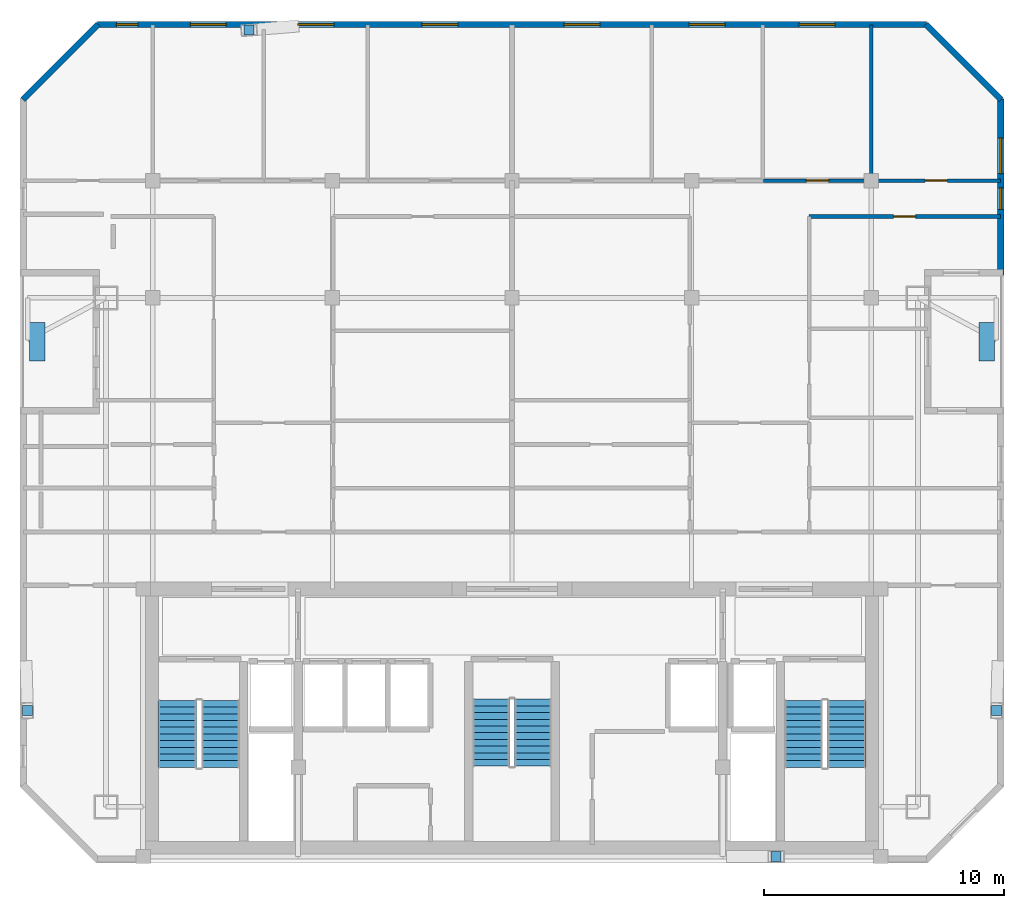
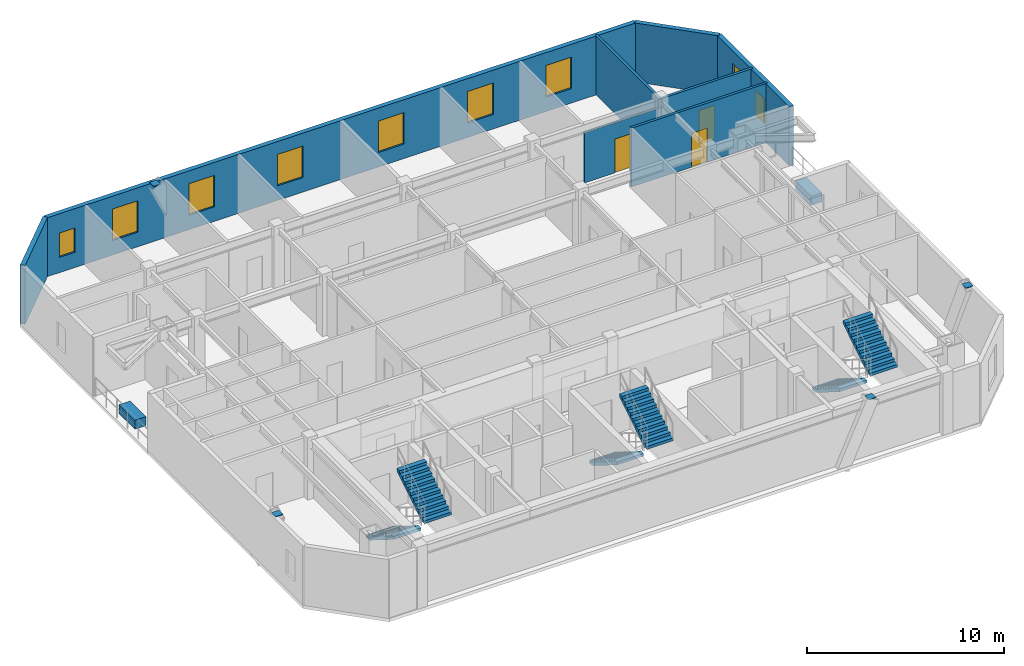
# One storey, part 6 of 7: 9 windows, 8 walls, 6 discrete accessories, 6 stair flights, 3 doors, 12 openings, 3 elements without a shape of their own.
"""IFC4 building model written with IfcOpenShell, lengths in metres."""

from ifc_helpers import new_model, si_unit, direction, frame, frame_2d, origin, origin_2d, place, context, subcontext, project, spatial, polyline, rectangle, outline, extrude, material, layer, layer_set, type_object, element, fill, aggregate, save


model = new_model("IFC4")

# Units and contexts
model_context = context("Model", 3, precision=1e-05, world=origin(), true_north=direction((0.0, 1.0)))
body_context = subcontext(model_context, "Body", "Model", "MODEL_VIEW")
ifc_project = project(units=[si_unit("LENGTHUNIT", "METRE"), si_unit("AREAUNIT", "SQUARE_METRE"), si_unit("VOLUMEUNIT", "CUBIC_METRE"), si_unit("PLANEANGLEUNIT", "RADIAN"), si_unit("MASSUNIT", "GRAM", prefix="KILO")], contexts=[model_context])

# Site, building, storey
site_placement = place(None, origin())
site = spatial("IfcSite", under=ifc_project, at=site_placement, CompositionType="ELEMENT")
building_placement = place(site_placement, origin())
building = spatial("IfcBuilding", under=site, at=building_placement, Name="Ventersveld Concourse Tower", CompositionType="ELEMENT")
storey_placement = place(building_placement, frame((0.0, 0.0, 272.14990234375)))
storey = spatial("IfcBuildingStorey", under=building, at=storey_placement, Name="L67", CompositionType="ELEMENT", Elevation=272.14990234375)

# Wall, opening, door
ifc_material_1 = material(Name="Autoclaved aerated masonry blockwork", Category="masonry")
ifc_layer_1 = layer(ifc_material_1, 0.14990234375)
ifc_layer_set_1 = layer_set([ifc_layer_1], Name="Autoclaved aerated masonry blockwork")
wall_type_1 = type_object("IfcWallType", Name="WL-INT-150", PredefinedType="PARTITIONING", material=ifc_layer_set_1)
wall_1_placement = place(storey_placement, frame((41.150390625, 27.0, 0.0), z_axis=(0.0, 0.0, 1.0), x_axis=(1.0, 0.0, 0.0)))
wall_1 = element("IfcWall", 1, at=wall_1_placement, inside=storey, type_object=wall_type_1, Name="L67 Interior Partition SP-L67-67N2-LIV-SP-L67-67N2-DENS2", PredefinedType="PARTITIONING", context=body_context, shape_type="SweptSolid", body=[
    extrude(rectangle(XDim=7.9892578125, YDim=0.14990234375, at=frame_2d((3.99462890625, 0.0))), origin(), (0.0, 0.0, 1.0), 3.650146484375),
])
opening_1_placement = place(wall_1_placement, frame((3.53466796875, 0.0, 0.0)))
opening_1 = element("IfcOpeningElement", 2, at=opening_1_placement, cuts=wall_1, Name="Opening ID1", PredefinedType="OPENING", context=body_context, shape_type="SweptSolid", body=[
    extrude(rectangle(XDim=0.919921875, YDim=2.10009765625, at=frame_2d((0.4599609375, 1.050048828125))), frame((0.0, 0.0849609375, 0.0), z_axis=(0.0, -1.0, 0.0), x_axis=(1.0, 0.0, 0.0)), (0.0, 0.0, 1.0), 0.169921875),
])
ifc_material_2 = material(Name="Solid-core hardwood veneer timber", Category="wood")
door_type = type_object("IfcDoorType", Name="DR-ROOM-092", OperationType="NOTDEFINED", PredefinedType="DOOR", material=ifc_material_2)
door_1_placement = place(opening_1_placement, origin())
door_1 = element("IfcDoor", 3, at=door_1_placement, inside=storey, type_object=door_type, Name="L67 Interior Door SP-L67-67N2-LIV to SP-L67-67N2-DENS2 (D-L67-3164)", OperationType="SINGLE_SWING_RIGHT", OverallHeight=2.10009765625, OverallWidth=0.919921875, PredefinedType="DOOR", context=body_context, shape_type="SweptSolid", body=[
    extrude(rectangle(XDim=0.919921875, YDim=2.10009765625, at=frame_2d((0.4599609375, 1.050048828125))), frame((0.0, 0.02490234375, 0.0), z_axis=(0.0, -1.0, 0.0), x_axis=(1.0, 0.0, 0.0)), (0.0, 0.0, 1.0), 0.050048828125),
])
fill(opening_1, door_1)

wall_2_placement = place(storey_placement, frame((39.254150390625, 28.5, 0.0), z_axis=(0.0, 0.0, 1.0), x_axis=(1.0, 0.0, 0.0)))
wall_2 = element("IfcWall", 4, at=wall_2_placement, inside=storey, type_object=wall_type_1, Name="L67 Interior Partition SP-L67-67N2-LIV-SP-L67-67N2-BR3", PredefinedType="PARTITIONING", context=body_context, shape_type="SweptSolid", body=[
    extrude(rectangle(XDim=4.500732421875, YDim=0.14990234375, at=frame_2d((2.25048828125, 0.0))), origin(), (0.0, 0.0, 1.0), 3.105712890625),
])
opening_2_placement = place(wall_2_placement, frame((1.790283203125, 0.0, 0.0)))
opening_2 = element("IfcOpeningElement", 5, at=opening_2_placement, cuts=wall_2, Name="Opening ID1", PredefinedType="OPENING", context=body_context, shape_type="SweptSolid", body=[
    extrude(rectangle(XDim=0.919921875, YDim=2.10009765625, at=frame_2d((0.4599609375, 1.050048828125))), frame((0.0, 0.0849609375, 0.0), z_axis=(0.0, -1.0, 0.0), x_axis=(1.0, 0.0, 0.0)), (0.0, 0.0, 1.0), 0.169921875),
])
door_2_placement = place(opening_2_placement, origin())
door_2 = element("IfcDoor", 6, at=door_2_placement, inside=storey, type_object=door_type, Name="L67 Interior Door SP-L67-67N2-LIV to SP-L67-67N2-BR3 (D-L67-3167)", OperationType="SINGLE_SWING_LEFT", OverallHeight=2.10009765625, OverallWidth=0.919921875, PredefinedType="DOOR", context=body_context, shape_type="SweptSolid", body=[
    extrude(rectangle(XDim=0.919921875, YDim=2.10009765625, at=frame_2d((0.4599609375, 1.050048828125))), frame((0.0, 0.02490234375, 0.0), z_axis=(0.0, -1.0, 0.0), x_axis=(1.0, 0.0, 0.0)), (0.0, 0.0, 1.0), 0.050048828125),
])
fill(opening_2, door_2)

wall_3_placement = place(storey_placement, frame((43.784912109375, 28.5, 0.0), z_axis=(0.0, 0.0, 1.0), x_axis=(1.0, 0.0, 0.0)))
wall_3 = element("IfcWall", 7, at=wall_3_placement, inside=storey, type_object=wall_type_1, Name="L67 Interior Partition SP-L67-67N2-LIV-SP-L67-67N2-BR4", PredefinedType="PARTITIONING", context=body_context, shape_type="SweptSolid", body=[
    extrude(rectangle(XDim=5.354736328125, YDim=0.14990234375, at=frame_2d((2.67724609375, 0.0))), origin(), (0.0, 0.0, 1.0), 3.650146484375),
])
opening_3_placement = place(wall_3_placement, frame((2.21728515625, 0.0, 0.0)))
opening_3 = element("IfcOpeningElement", 8, at=opening_3_placement, cuts=wall_3, Name="Opening ID1", PredefinedType="OPENING", context=body_context, shape_type="SweptSolid", body=[
    extrude(rectangle(XDim=0.919921875, YDim=2.10009765625, at=frame_2d((0.4599609375, 1.050048828125))), frame((0.0, 0.0849609375, 0.0), z_axis=(0.0, -1.0, 0.0), x_axis=(1.0, 0.0, 0.0)), (0.0, 0.0, 1.0), 0.169921875),
])
door_3_placement = place(opening_3_placement, origin())
door_3 = element("IfcDoor", 9, at=door_3_placement, inside=storey, type_object=door_type, Name="L67 Interior Door SP-L67-67N2-LIV to SP-L67-67N2-BR4 (D-L67-3168)", OperationType="SINGLE_SWING_RIGHT", OverallHeight=2.10009765625, OverallWidth=0.919921875, PredefinedType="DOOR", context=body_context, shape_type="SweptSolid", body=[
    extrude(rectangle(XDim=0.919921875, YDim=2.10009765625, at=frame_2d((0.4599609375, 1.050048828125))), frame((0.0, 0.02490234375, 0.0), z_axis=(0.0, -1.0, 0.0), x_axis=(1.0, 0.0, 0.0)), (0.0, 0.0, 1.0), 0.050048828125),
])
fill(opening_3, door_3)

# Wall
wall_4_placement = place(storey_placement, frame((43.75, 28.4951171875, 0.0), z_axis=(0.0, 0.0, 1.0), x_axis=(0.0, 1.0, 0.0)))
element("IfcWall", 10, at=wall_4_placement, inside=storey, type_object=wall_type_1, Name="L67 Interior Partition SP-L67-67N2-BR3-SP-L67-67N2-BR4", PredefinedType="PARTITIONING", context=body_context, shape_type="SweptSolid", body=[
    extrude(rectangle(XDim=6.499267578125, YDim=0.14990234375, at=frame_2d((3.24951171875, 0.0))), origin(), (0.0, 0.0, 1.0), 3.650146484375),
])

# Wall, openings, windows
ifc_material_3 = material(Name="Precast concrete C45/55", Category="concrete")
ifc_layer_2 = layer(ifc_material_3, 0.260009765625)
ifc_layer_set_2 = layer_set([ifc_layer_2], Name="Precast concrete C45/55")
wall_type_2 = type_object("IfcWallType", Name="WL-PREC-260", PredefinedType="SOLIDWALL", material=ifc_layer_set_2)
wall_5_placement = place(storey_placement, frame((49.1591796875, 24.56201171875, 0.0), z_axis=(0.0, 0.0, 1.0), x_axis=(0.0, 1.0, 0.0)))
wall_5 = element("IfcWall", 11, at=wall_5_placement, inside=storey, type_object=wall_type_2, Name="L67 Highveld Precast Facade Wall E07", PredefinedType="SOLIDWALL", context=body_context, shape_type="SweptSolid", body=[
    extrude(rectangle(XDim=7.341796875, YDim=0.260009765625, at=frame_2d((3.6708984375, 0.0))), origin(), (0.0, 0.0, 1.0), 3.650146484375),
])
opening_4_placement = place(wall_5_placement, frame((2.738037109375, 0.0, 0.949951171875)))
opening_4 = element("IfcOpeningElement", 12, at=opening_4_placement, cuts=wall_5, Name="Opening W4", PredefinedType="OPENING", context=body_context, shape_type="SweptSolid", body=[
    extrude(rectangle(XDim=0.89990234375, YDim=1.5, at=frame_2d((0.449951171875, 0.75))), frame((0.0, 0.14013671875, 0.0), z_axis=(0.0, -1.0, 0.0), x_axis=(1.0, 0.0, 0.0)), (0.0, 0.0, 1.0), 0.280029296875),
])
opening_5_placement = place(wall_5_placement, frame((4.224853515625, 0.0, 0.89990234375)))
opening_5 = element("IfcOpeningElement", 13, at=opening_5_placement, cuts=wall_5, Name="Opening W1", PredefinedType="OPENING", context=body_context, shape_type="SweptSolid", body=[
    extrude(rectangle(XDim=1.5, YDim=1.949951171875, at=frame_2d((0.75, 0.97509765625))), frame((0.0, 0.14013671875, 0.0), z_axis=(0.0, -1.0, 0.0), x_axis=(1.0, 0.0, 0.0)), (0.0, 0.0, 1.0), 0.280029296875),
])
ifc_material_4 = material(Name="Tempered acoustic Low-E IGU", Category="glass")
window_type_1 = type_object("IfcWindowType", Name="WIN-090x150", PartitioningType="SINGLE_PANEL", PredefinedType="WINDOW", material=ifc_material_4)
window_1_placement = place(opening_4_placement, origin())
window_1 = element("IfcWindow", 14, at=window_1_placement, inside=storey, type_object=window_type_1, Name="L67 Punched Low-E Window W-0957", OverallHeight=1.5, OverallWidth=0.89990234375, PartitioningType="SINGLE_PANEL", PredefinedType="WINDOW", context=body_context, shape_type="SweptSolid", body=[
    extrude(rectangle(XDim=0.89990234375, YDim=1.5, at=frame_2d((0.449951171875, 0.75))), frame((0.0, 0.030029296875, 0.0), z_axis=(0.0, -1.0, 0.0), x_axis=(1.0, 0.0, 0.0)), (0.0, 0.0, 1.0), 0.06005859375),
])
fill(opening_4, window_1)
window_type_2 = type_object("IfcWindowType", Name="WIN-150x210", PartitioningType="SINGLE_PANEL", PredefinedType="WINDOW", material=ifc_material_4)
window_2_placement = place(opening_5_placement, origin())
window_2 = element("IfcWindow", 15, at=window_2_placement, inside=storey, type_object=window_type_2, Name="L67 Punched Low-E Window W-0965", OverallHeight=1.949951171875, OverallWidth=1.5, PartitioningType="SINGLE_PANEL", PredefinedType="WINDOW", context=body_context, shape_type="SweptSolid", body=[
    extrude(rectangle(XDim=1.5, YDim=1.949951171875, at=frame_2d((0.75, 0.97509765625))), frame((0.0, 0.030029296875, 0.0), z_axis=(0.0, -1.0, 0.0), x_axis=(1.0, 0.0, 0.0)), (0.0, 0.0, 1.0), 0.06005859375),
])
fill(opening_5, window_2)

# Wall
wall_6_placement = place(storey_placement, frame((49.1689453125, 31.880126953125, 0.0), z_axis=(0.0, 0.0, 1.0), x_axis=(-0.707106781187, 0.707106781187, 0.0)))
element("IfcWall", 16, at=wall_6_placement, inside=storey, type_object=wall_type_2, Name="L67 Highveld Precast Facade Wall E08", PredefinedType="SOLIDWALL", context=body_context, shape_type="SweptSolid", body=[
    extrude(rectangle(XDim=4.445556640625, YDim=0.260009765625, at=frame_2d((2.22265625, 0.0))), origin(), (0.0, 0.0, 1.0), 3.650146484375),
])

# Wall, openings, windows
wall_7_placement = place(storey_placement, frame((46.049072265625, 35.013916015625, 0.0), z_axis=(0.0, 0.0, 1.0), x_axis=(-1.0, 0.0, 0.0)))
wall_7 = element("IfcWall", 17, at=wall_7_placement, inside=storey, type_object=wall_type_2, Name="L67 Highveld Precast Facade Wall E09", PredefinedType="SOLIDWALL", context=body_context, shape_type="SweptSolid", body=[
    extrude(rectangle(XDim=34.59814453125, YDim=0.260009765625, at=frame_2d((17.299072265625, 0.0))), origin(), (0.0, 0.0, 1.0), 3.650146484375),
])
opening_6_placement = place(wall_7_placement, frame((32.918212890625, 0.0, 0.949951171875)))
opening_6 = element("IfcOpeningElement", 18, at=opening_6_placement, cuts=wall_7, Name="Opening W4", PredefinedType="OPENING", context=body_context, shape_type="SweptSolid", body=[
    extrude(rectangle(XDim=0.89990234375, YDim=1.5, at=frame_2d((0.449951171875, 0.75))), frame((0.0, 0.14013671875, 0.0), z_axis=(0.0, -1.0, 0.0), x_axis=(1.0, 0.0, 0.0)), (0.0, 0.0, 1.0), 0.280029296875),
])
opening_7_placement = place(wall_7_placement, frame((29.229248046875, 0.0, 0.89990234375)))
opening_7 = element("IfcOpeningElement", 19, at=opening_7_placement, cuts=wall_7, Name="Opening W1", PredefinedType="OPENING", context=body_context, shape_type="SweptSolid", body=[
    extrude(rectangle(XDim=1.5, YDim=1.949951171875, at=frame_2d((0.75, 0.97509765625))), frame((0.0, 0.14013671875, 0.0), z_axis=(0.0, -1.0, 0.0), x_axis=(1.0, 0.0, 0.0)), (0.0, 0.0, 1.0), 0.280029296875),
])
opening_8_placement = place(wall_7_placement, frame((24.73779296875, 0.0, 0.89990234375)))
opening_8 = element("IfcOpeningElement", 20, at=opening_8_placement, cuts=wall_7, Name="Opening W1", PredefinedType="OPENING", context=body_context, shape_type="SweptSolid", body=[
    extrude(rectangle(XDim=1.5, YDim=1.949951171875, at=frame_2d((0.75, 0.97509765625))), frame((0.0, 0.14013671875, 0.0), z_axis=(0.0, -1.0, 0.0), x_axis=(1.0, 0.0, 0.0)), (0.0, 0.0, 1.0), 0.280029296875),
])
opening_9_placement = place(wall_7_placement, frame((19.557861328125, 0.0, 0.89990234375)))
opening_9 = element("IfcOpeningElement", 21, at=opening_9_placement, cuts=wall_7, Name="Opening W1", PredefinedType="OPENING", context=body_context, shape_type="SweptSolid", body=[
    extrude(rectangle(XDim=1.5, YDim=1.949951171875, at=frame_2d((0.75, 0.97509765625))), frame((0.0, 0.14013671875, 0.0), z_axis=(0.0, -1.0, 0.0), x_axis=(1.0, 0.0, 0.0)), (0.0, 0.0, 1.0), 0.280029296875),
])
opening_10_placement = place(wall_7_placement, frame((13.634521484375, 0.0, 0.89990234375)))
opening_10 = element("IfcOpeningElement", 22, at=opening_10_placement, cuts=wall_7, Name="Opening W1", PredefinedType="OPENING", context=body_context, shape_type="SweptSolid", body=[
    extrude(rectangle(XDim=1.5, YDim=1.949951171875, at=frame_2d((0.75, 0.97509765625))), frame((0.0, 0.14013671875, 0.0), z_axis=(0.0, -1.0, 0.0), x_axis=(1.0, 0.0, 0.0)), (0.0, 0.0, 1.0), 0.280029296875),
])
opening_11_placement = place(wall_7_placement, frame((8.39990234375, 0.0, 0.89990234375)))
opening_11 = element("IfcOpeningElement", 23, at=opening_11_placement, cuts=wall_7, Name="Opening W1", PredefinedType="OPENING", context=body_context, shape_type="SweptSolid", body=[
    extrude(rectangle(XDim=1.5, YDim=1.949951171875, at=frame_2d((0.75, 0.97509765625))), frame((0.0, 0.14013671875, 0.0), z_axis=(0.0, -1.0, 0.0), x_axis=(1.0, 0.0, 0.0)), (0.0, 0.0, 1.0), 0.280029296875),
])
opening_12_placement = place(wall_7_placement, frame((3.814453125, 0.0, 0.89990234375)))
opening_12 = element("IfcOpeningElement", 24, at=opening_12_placement, cuts=wall_7, Name="Opening W1", PredefinedType="OPENING", context=body_context, shape_type="SweptSolid", body=[
    extrude(rectangle(XDim=1.5, YDim=1.949951171875, at=frame_2d((0.75, 0.97509765625))), frame((0.0, 0.14013671875, 0.0), z_axis=(0.0, -1.0, 0.0), x_axis=(1.0, 0.0, 0.0)), (0.0, 0.0, 1.0), 0.280029296875),
])
window_3_placement = place(opening_6_placement, origin())
window_3 = element("IfcWindow", 25, at=window_3_placement, inside=storey, type_object=window_type_1, Name="L67 Punched Low-E Window W-0953", OverallHeight=1.5, OverallWidth=0.89990234375, PartitioningType="SINGLE_PANEL", PredefinedType="WINDOW", context=body_context, shape_type="SweptSolid", body=[
    extrude(rectangle(XDim=0.89990234375, YDim=1.5, at=frame_2d((0.449951171875, 0.75))), frame((0.0, 0.030029296875, 0.0), z_axis=(0.0, -1.0, 0.0), x_axis=(1.0, 0.0, 0.0)), (0.0, 0.0, 1.0), 0.06005859375),
])
fill(opening_6, window_3)
window_4_placement = place(opening_7_placement, origin())
window_4 = element("IfcWindow", 26, at=window_4_placement, inside=storey, type_object=window_type_2, Name="L67 Punched Low-E Window W-0954", OverallHeight=1.949951171875, OverallWidth=1.5, PartitioningType="SINGLE_PANEL", PredefinedType="WINDOW", context=body_context, shape_type="SweptSolid", body=[
    extrude(rectangle(XDim=1.5, YDim=1.949951171875, at=frame_2d((0.75, 0.97509765625))), frame((0.0, 0.030029296875, 0.0), z_axis=(0.0, -1.0, 0.0), x_axis=(1.0, 0.0, 0.0)), (0.0, 0.0, 1.0), 0.06005859375),
])
fill(opening_7, window_4)
window_5_placement = place(opening_8_placement, origin())
window_5 = element("IfcWindow", 27, at=window_5_placement, inside=storey, type_object=window_type_2, Name="L67 Punched Low-E Window W-0955", OverallHeight=1.949951171875, OverallWidth=1.5, PartitioningType="SINGLE_PANEL", PredefinedType="WINDOW", context=body_context, shape_type="SweptSolid", body=[
    extrude(rectangle(XDim=1.5, YDim=1.949951171875, at=frame_2d((0.75, 0.97509765625))), frame((0.0, 0.030029296875, 0.0), z_axis=(0.0, -1.0, 0.0), x_axis=(1.0, 0.0, 0.0)), (0.0, 0.0, 1.0), 0.06005859375),
])
fill(opening_8, window_5)
window_6_placement = place(opening_9_placement, origin())
window_6 = element("IfcWindow", 28, at=window_6_placement, inside=storey, type_object=window_type_2, Name="L67 Punched Low-E Window W-0956", OverallHeight=1.949951171875, OverallWidth=1.5, PartitioningType="SINGLE_PANEL", PredefinedType="WINDOW", context=body_context, shape_type="SweptSolid", body=[
    extrude(rectangle(XDim=1.5, YDim=1.949951171875, at=frame_2d((0.75, 0.97509765625))), frame((0.0, 0.030029296875, 0.0), z_axis=(0.0, -1.0, 0.0), x_axis=(1.0, 0.0, 0.0)), (0.0, 0.0, 1.0), 0.06005859375),
])
fill(opening_9, window_6)
window_7_placement = place(opening_10_placement, origin())
window_7 = element("IfcWindow", 29, at=window_7_placement, inside=storey, type_object=window_type_2, Name="L67 Punched Low-E Window W-0962", OverallHeight=1.949951171875, OverallWidth=1.5, PartitioningType="SINGLE_PANEL", PredefinedType="WINDOW", context=body_context, shape_type="SweptSolid", body=[
    extrude(rectangle(XDim=1.5, YDim=1.949951171875, at=frame_2d((0.75, 0.97509765625))), frame((0.0, 0.030029296875, 0.0), z_axis=(0.0, -1.0, 0.0), x_axis=(1.0, 0.0, 0.0)), (0.0, 0.0, 1.0), 0.06005859375),
])
fill(opening_10, window_7)
window_8_placement = place(opening_11_placement, origin())
window_8 = element("IfcWindow", 30, at=window_8_placement, inside=storey, type_object=window_type_2, Name="L67 Punched Low-E Window W-0963", OverallHeight=1.949951171875, OverallWidth=1.5, PartitioningType="SINGLE_PANEL", PredefinedType="WINDOW", context=body_context, shape_type="SweptSolid", body=[
    extrude(rectangle(XDim=1.5, YDim=1.949951171875, at=frame_2d((0.75, 0.97509765625))), frame((0.0, 0.030029296875, 0.0), z_axis=(0.0, -1.0, 0.0), x_axis=(1.0, 0.0, 0.0)), (0.0, 0.0, 1.0), 0.06005859375),
])
fill(opening_11, window_8)
window_9_placement = place(opening_12_placement, origin())
window_9 = element("IfcWindow", 31, at=window_9_placement, inside=storey, type_object=window_type_2, Name="L67 Punched Low-E Window W-0964", OverallHeight=1.949951171875, OverallWidth=1.5, PartitioningType="SINGLE_PANEL", PredefinedType="WINDOW", context=body_context, shape_type="SweptSolid", body=[
    extrude(rectangle(XDim=1.5, YDim=1.949951171875, at=frame_2d((0.75, 0.97509765625))), frame((0.0, 0.030029296875, 0.0), z_axis=(0.0, -1.0, 0.0), x_axis=(1.0, 0.0, 0.0)), (0.0, 0.0, 1.0), 0.06005859375),
])
fill(opening_12, window_9)

# Wall
wall_8_placement = place(storey_placement, frame((11.474609375, 35.023681640625, 0.0), z_axis=(0.0, 0.0, 1.0), x_axis=(-0.707106781187, -0.707106781187, 0.0)))
element("IfcWall", 32, at=wall_8_placement, inside=storey, type_object=wall_type_2, Name="L67 Highveld Precast Facade Wall E10", PredefinedType="SOLIDWALL", context=body_context, shape_type="SweptSolid", body=[
    extrude(rectangle(XDim=4.445556640625, YDim=0.260009765625, at=frame_2d((2.22265625, 0.0))), origin(), (0.0, 0.0, 1.0), 3.650146484375),
])

# Stair, stair flights
ifc_material_5 = material(Name="Concrete C50/60", Category="concrete")
stair_type_1 = type_object("IfcStairType", Name="ST-DOG-155", PredefinedType="HALF_TURN_STAIR", material=ifc_material_5)
stair_1_placement = place(storey_placement, origin())
stair_1 = element("IfcStair", 33, at=stair_1_placement, inside=storey, type_object=stair_type_1, Name="L67 Protected Central Core Escape Stair ST-03", PredefinedType="HALF_TURN_STAIR")
stair_flight_type_1 = type_object("IfcStairFlightType", Name="STF-RC-155", PredefinedType="STRAIGHT", material=ifc_material_5)
stair_flight_1_placement = place(storey_placement, frame((27.875, 6.85009765625, 0.0), z_axis=(0.0, 0.0, 1.0), x_axis=(0.0, -1.0, 0.0)))
stair_flight_1 = element("IfcStairFlight", 34, at=stair_flight_1_placement, type_object=stair_flight_type_1, Name="ST-03 flight 1", NumberOfRisers=11, NumberOfTreads=10, PredefinedType="STRAIGHT", RiserHeight=0.175, TreadLength=0.28, context=body_context, shape_type="SweptSolid", body=[
    extrude(outline(polyline([(0.0, 0.0), (0.0, 0.175048828125), (0.280029296875, 0.175048828125), (0.280029296875, 0.35009765625), (0.56005859375, 0.35009765625), (0.56005859375, 0.52490234375), (0.840087890625, 0.52490234375), (0.840087890625, 0.699951171875), (1.1201171875, 0.699951171875), (1.1201171875, 0.875), (1.39990234375, 0.875), (1.39990234375, 1.050048828125), (1.679931640625, 1.050048828125), (1.679931640625, 1.22509765625), (1.9599609375, 1.22509765625), (1.9599609375, 1.39990234375), (2.239990234375, 1.39990234375), (2.239990234375, 1.574951171875), (2.52001953125, 1.574951171875), (2.52001953125, 1.75), (2.800048828125, 1.75), (2.800048828125, 1.925048828125), (2.800048828125, 1.5732421875), (0.28271484375, 0.0), (0.0, 0.0)])), frame((0.0, 0.77490234375, 0.0), z_axis=(0.0, -1.0, 0.0), x_axis=(1.0, 0.0, 0.0)), (0.0, 0.0, 1.0), 1.550048828125),
])
stair_flight_2_placement = place(storey_placement, frame((29.625, 4.050048828125, 1.925048828125), z_axis=(0.0, 0.0, 1.0), x_axis=(0.0, 1.0, 0.0)))
stair_flight_2 = element("IfcStairFlight", 35, at=stair_flight_2_placement, type_object=stair_flight_type_1, Name="ST-03 flight 2", NumberOfRisers=11, NumberOfTreads=10, PredefinedType="STRAIGHT", RiserHeight=0.175, TreadLength=0.28, context=body_context, shape_type="SweptSolid", body=[
    extrude(outline(polyline([(0.0, 0.0), (0.0, 0.175048828125), (0.280029296875, 0.175048828125), (0.280029296875, 0.35009765625), (0.56005859375, 0.35009765625), (0.56005859375, 0.52490234375), (0.840087890625, 0.52490234375), (0.840087890625, 0.699951171875), (1.1201171875, 0.699951171875), (1.1201171875, 0.875), (1.39990234375, 0.875), (1.39990234375, 1.050048828125), (1.679931640625, 1.050048828125), (1.679931640625, 1.22509765625), (1.9599609375, 1.22509765625), (1.9599609375, 1.39990234375), (2.239990234375, 1.39990234375), (2.239990234375, 1.574951171875), (2.52001953125, 1.574951171875), (2.52001953125, 1.75), (2.800048828125, 1.75), (2.800048828125, 1.925048828125), (2.800048828125, 1.5732421875), (0.28271484375, 0.0), (0.0, 0.0)])), frame((0.0, 0.77490234375, 0.0), z_axis=(0.0, -1.0, 0.0), x_axis=(1.0, 0.0, 0.0)), (0.0, 0.0, 1.0), 1.550048828125),
])
aggregate(stair_1, [stair_flight_1, stair_flight_2])

stair_type_2 = type_object("IfcStairType", Name="ST-DOG-160", PredefinedType="HALF_TURN_STAIR", material=ifc_material_5)
stair_2_placement = place(storey_placement, origin())
stair_2 = element("IfcStair", 36, at=stair_2_placement, inside=storey, type_object=stair_type_2, Name="L67 Protected Tower Escape Stair ST-01", PredefinedType="HALF_TURN_STAIR")
stair_flight_type_2 = type_object("IfcStairFlightType", Name="STF-RC-160", PredefinedType="STRAIGHT", material=ifc_material_5)
stair_flight_3_placement = place(storey_placement, frame((14.780029296875, 6.800048828125, 0.0), z_axis=(0.0, 0.0, 1.0), x_axis=(0.0, -1.0, 0.0)))
stair_flight_3 = element("IfcStairFlight", 37, at=stair_flight_3_placement, type_object=stair_flight_type_2, Name="ST-01 flight 1", NumberOfRisers=11, NumberOfTreads=10, PredefinedType="STRAIGHT", RiserHeight=0.175, TreadLength=0.28, context=body_context, shape_type="SweptSolid", body=[
    extrude(outline(polyline([(0.0, 0.0), (0.0, 0.175048828125), (0.280029296875, 0.175048828125), (0.280029296875, 0.35009765625), (0.56005859375, 0.35009765625), (0.56005859375, 0.52490234375), (0.840087890625, 0.52490234375), (0.840087890625, 0.699951171875), (1.1201171875, 0.699951171875), (1.1201171875, 0.875), (1.39990234375, 0.875), (1.39990234375, 1.050048828125), (1.679931640625, 1.050048828125), (1.679931640625, 1.22509765625), (1.9599609375, 1.22509765625), (1.9599609375, 1.39990234375), (2.239990234375, 1.39990234375), (2.239990234375, 1.574951171875), (2.52001953125, 1.574951171875), (2.52001953125, 1.75), (2.800048828125, 1.75), (2.800048828125, 1.925048828125), (2.800048828125, 1.5732421875), (0.28271484375, 0.0), (0.0, 0.0)])), frame((0.0, 0.800048828125, 0.0), z_axis=(0.0, -1.0, 0.0), x_axis=(1.0, 0.0, 0.0)), (0.0, 0.0, 1.0), 1.60009765625),
])
stair_flight_4_placement = place(storey_placement, frame((16.580078125, 4.0, 1.925048828125), z_axis=(0.0, 0.0, 1.0), x_axis=(0.0, 1.0, 0.0)))
stair_flight_4 = element("IfcStairFlight", 38, at=stair_flight_4_placement, type_object=stair_flight_type_2, Name="ST-01 flight 2", NumberOfRisers=11, NumberOfTreads=10, PredefinedType="STRAIGHT", RiserHeight=0.175, TreadLength=0.28, context=body_context, shape_type="SweptSolid", body=[
    extrude(outline(polyline([(0.0, 0.0), (0.0, 0.175048828125), (0.280029296875, 0.175048828125), (0.280029296875, 0.35009765625), (0.56005859375, 0.35009765625), (0.56005859375, 0.52490234375), (0.840087890625, 0.52490234375), (0.840087890625, 0.699951171875), (1.1201171875, 0.699951171875), (1.1201171875, 0.875), (1.39990234375, 0.875), (1.39990234375, 1.050048828125), (1.679931640625, 1.050048828125), (1.679931640625, 1.22509765625), (1.9599609375, 1.22509765625), (1.9599609375, 1.39990234375), (2.239990234375, 1.39990234375), (2.239990234375, 1.574951171875), (2.52001953125, 1.574951171875), (2.52001953125, 1.75), (2.800048828125, 1.75), (2.800048828125, 1.925048828125), (2.800048828125, 1.5732421875), (0.28271484375, 0.0), (0.0, 0.0)])), frame((0.0, 0.800048828125, 0.0), z_axis=(0.0, -1.0, 0.0), x_axis=(1.0, 0.0, 0.0)), (0.0, 0.0, 1.0), 1.60009765625),
])
aggregate(stair_2, [stair_flight_3, stair_flight_4])

stair_3_placement = place(storey_placement, origin())
stair_3 = element("IfcStair", 39, at=stair_3_placement, inside=storey, type_object=stair_type_2, Name="L67 Protected Tower Escape Stair ST-02", PredefinedType="HALF_TURN_STAIR")
stair_flight_5_placement = place(storey_placement, frame((40.919921875, 6.800048828125, 0.0), z_axis=(0.0, 0.0, 1.0), x_axis=(0.0, -1.0, 0.0)))
stair_flight_5 = element("IfcStairFlight", 40, at=stair_flight_5_placement, type_object=stair_flight_type_2, Name="ST-02 flight 1", NumberOfRisers=11, NumberOfTreads=10, PredefinedType="STRAIGHT", RiserHeight=0.175, TreadLength=0.28, context=body_context, shape_type="SweptSolid", body=[
    extrude(outline(polyline([(0.0, 0.0), (0.0, 0.175048828125), (0.280029296875, 0.175048828125), (0.280029296875, 0.35009765625), (0.56005859375, 0.35009765625), (0.56005859375, 0.52490234375), (0.840087890625, 0.52490234375), (0.840087890625, 0.699951171875), (1.1201171875, 0.699951171875), (1.1201171875, 0.875), (1.39990234375, 0.875), (1.39990234375, 1.050048828125), (1.679931640625, 1.050048828125), (1.679931640625, 1.22509765625), (1.9599609375, 1.22509765625), (1.9599609375, 1.39990234375), (2.239990234375, 1.39990234375), (2.239990234375, 1.574951171875), (2.52001953125, 1.574951171875), (2.52001953125, 1.75), (2.800048828125, 1.75), (2.800048828125, 1.925048828125), (2.800048828125, 1.5732421875), (0.28271484375, 0.0), (0.0, 0.0)])), frame((0.0, 0.800048828125, 0.0), z_axis=(0.0, -1.0, 0.0), x_axis=(1.0, 0.0, 0.0)), (0.0, 0.0, 1.0), 1.60009765625),
])
stair_flight_6_placement = place(storey_placement, frame((42.719970703125, 4.0, 1.925048828125), z_axis=(0.0, 0.0, 1.0), x_axis=(0.0, 1.0, 0.0)))
stair_flight_6 = element("IfcStairFlight", 41, at=stair_flight_6_placement, type_object=stair_flight_type_2, Name="ST-02 flight 2", NumberOfRisers=11, NumberOfTreads=10, PredefinedType="STRAIGHT", RiserHeight=0.175, TreadLength=0.28, context=body_context, shape_type="SweptSolid", body=[
    extrude(outline(polyline([(0.0, 0.0), (0.0, 0.175048828125), (0.280029296875, 0.175048828125), (0.280029296875, 0.35009765625), (0.56005859375, 0.35009765625), (0.56005859375, 0.52490234375), (0.840087890625, 0.52490234375), (0.840087890625, 0.699951171875), (1.1201171875, 0.699951171875), (1.1201171875, 0.875), (1.39990234375, 0.875), (1.39990234375, 1.050048828125), (1.679931640625, 1.050048828125), (1.679931640625, 1.22509765625), (1.9599609375, 1.22509765625), (1.9599609375, 1.39990234375), (2.239990234375, 1.39990234375), (2.239990234375, 1.574951171875), (2.52001953125, 1.574951171875), (2.52001953125, 1.75), (2.800048828125, 1.75), (2.800048828125, 1.925048828125), (2.800048828125, 1.5732421875), (0.28271484375, 0.0), (0.0, 0.0)])), frame((0.0, 0.800048828125, 0.0), z_axis=(0.0, -1.0, 0.0), x_axis=(1.0, 0.0, 0.0)), (0.0, 0.0, 1.0), 1.60009765625),
])
aggregate(stair_3, [stair_flight_5, stair_flight_6])

# Discrete accessories
ifc_material_6 = material(Name="Structural steel S355J2", Category="steel")
discrete_accessory_type_1 = type_object("IfcDiscreteAccessoryType", Name="CONN-BRACE-ECP1", PredefinedType="BRACKET", material=ifc_material_6)
for number, where, z_axis, x_axis, name in (
    (42, (17.77099609375, 34.783203125, 3.630126953125), (0.0, 0.0, 1.0), (1.0, 0.0, 0.0), "L67 Steel Brace End Connection Plate ECP1-0453"),
    (43, (39.77880859375, 0.280029296875, 3.630126953125), (0.0, 0.0, 1.0), (1.0, 0.0, 0.0), "L67 Steel Brace End Connection Plate ECP1-0457"),
    (44, (8.518798828125, 6.37109375, 3.630126953125), (0.0, 0.0, 1.0), (1.0, 0.0, 0.0), "L67 Steel Brace End Connection Plate ECP1-0461"),
    (45, (48.981201171875, 6.37109375, 3.630126953125), (0.0, 0.0, 1.0), (1.0, 0.0, 0.0), "L67 Steel Brace End Connection Plate ECP1-0465"),
):
    element("IfcDiscreteAccessory", number, at=place(storey_placement, frame(where, z_axis=z_axis, x_axis=x_axis)), inside=storey, type_object=discrete_accessory_type_1, Name=name, PredefinedType="BRACKET", context=body_context, shape_type="SweptSolid", body=[
        extrude(rectangle(XDim=0.419921875, YDim=0.419921875, at=origin_2d()), origin(), (0.0, 0.0, 1.0), 0.0400390625),
    ])
discrete_accessory_type_2 = type_object("IfcDiscreteAccessoryType", Name="PLN-TERR-180", PredefinedType="USERDEFINED", material=ifc_material_3)
for number, where, z_axis, x_axis, name in (
    (46, (8.930908203125, 21.77197265625, 0.0), (0.0, 0.0, 1.0), (0.0, 1.0, 0.0), "L67 Planted Precast Terrace Planter Box NOTCH-W"),
    (47, (48.569091796875, 21.77197265625, 0.0), (0.0, 0.0, 1.0), (0.0, 1.0, 0.0), "L67 Planted Precast Terrace Planter Box NOTCH-E"),
):
    element("IfcDiscreteAccessory", number, at=place(storey_placement, frame(where, z_axis=z_axis, x_axis=x_axis)), inside=storey, type_object=discrete_accessory_type_2, Name=name, ObjectType="PLANTER", PredefinedType="USERDEFINED", context=body_context, shape_type="SweptSolid", body=[
        extrude(rectangle(XDim=1.60009765625, YDim=0.64990234375, at=origin_2d()), origin(), (0.0, 0.0, 1.0), 0.550048828125),
    ])

save(model, "model.ifc")
